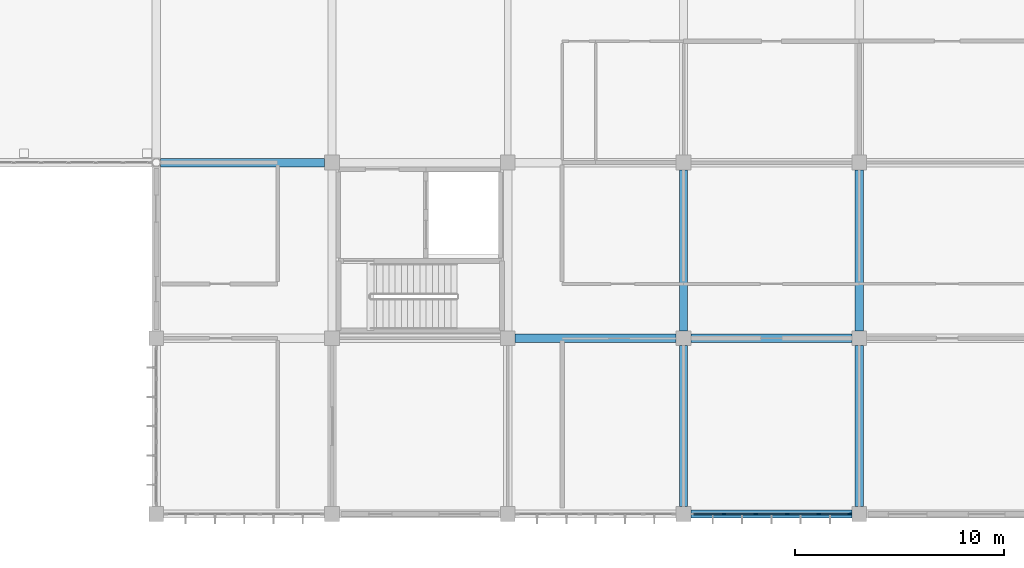
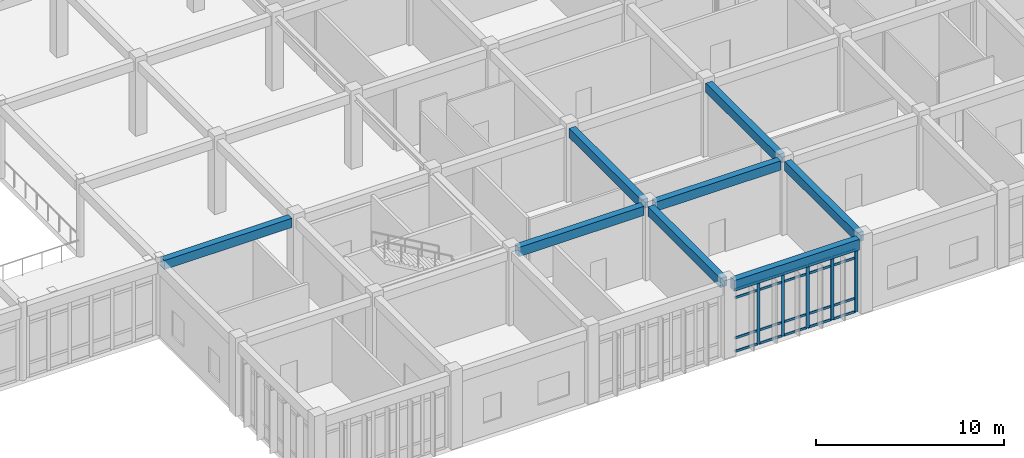
# One storey, part 23 of 134: 25 members, 8 beams, 1 element without a shape of its own.
"""IFC4 building model written with IfcOpenShell, lengths in metres."""

from ifc_helpers import new_model, si_unit, direction, frame, origin, origin_2d, place, context, subcontext, project, spatial, rectangle, extrude, material, layer, layer_set, material_profile, profile_set, type_object, element, aggregate, save


model = new_model("IFC4")

# Units and contexts
model_context = context("Model", 3, precision=1e-05, world=origin(), true_north=direction((0.0, 1.0)))
body_context = subcontext(model_context, "Body", "Model", "MODEL_VIEW")
ifc_project = project(units=[si_unit("LENGTHUNIT", "METRE"), si_unit("AREAUNIT", "SQUARE_METRE"), si_unit("VOLUMEUNIT", "CUBIC_METRE"), si_unit("PLANEANGLEUNIT", "RADIAN"), si_unit("MASSUNIT", "GRAM", prefix="KILO")], contexts=[model_context])

# Site, building, storey
site_placement = place(None, origin())
site = spatial("IfcSite", under=ifc_project, at=site_placement, CompositionType="ELEMENT")
building_placement = place(site_placement, origin())
building = spatial("IfcBuilding", under=site, at=building_placement, Name="Bramfleet General Hospital", CompositionType="ELEMENT")
storey_placement = place(building_placement, frame((0.0, 0.0, 9.300048828125)))
storey = spatial("IfcBuildingStorey", under=building, at=storey_placement, Name="L02", CompositionType="ELEMENT", Elevation=9.300048828125)

# Beams
ifc_material_1 = material(Name="Concrete C35/45", Category="concrete")
ifc_material_profile_1 = material_profile(ifc_material_1, rectangle(XDim=0.39990234375, YDim=0.60009765625, at=origin_2d()), Name="RC BM 600x400")
ifc_profile_set_1 = profile_set([ifc_material_profile_1], Name="Concrete C35/45")
beam_type_1 = type_object("IfcBeamType", Name="BM-RC600", PredefinedType="BEAM", material=ifc_profile_set_1)
beam_1_placement = place(storey_placement, frame((92.603271484375, 16.800048828125, 4.47998046875), z_axis=(1.0, 0.0, 0.0), x_axis=(0.0, 1.0, 0.0)))
element("IfcBeam", 1, at=beam_1_placement, inside=storey, type_object=beam_type_1, Name="L02 Grid Beam X 11-02", PredefinedType="BEAM", context=body_context, shape_type="SweptSolid", body=[
    extrude(rectangle(XDim=0.39990234375, YDim=0.60009765625, at=origin_2d()), origin(), (0.0, 0.0, 1.0), 7.8466796875),
])
for number, where, z_axis, x_axis, name in (
    (2, (109.550048828125, 8.39990234375, 4.47998046875), (1.0, 0.0, 0.0), (0.0, 1.0, 0.0), "L02 Grid Beam X 13-01"),
    (3, (117.949951171875, 8.39990234375, 4.47998046875), (1.0, 0.0, 0.0), (0.0, 1.0, 0.0), "L02 Grid Beam X 14-01"),
    (4, (117.60009765625, 0.35009765625, 4.47998046875), (0.0, 1.0, 0.0), (-1.0, 0.0, 0.0), "L02 Grid Beam Y 14-00"),
    (5, (117.60009765625, 8.75, 4.47998046875), (0.0, 1.0, 0.0), (-1.0, 0.0, 0.0), "L02 Grid Beam Y 14-01"),
    (6, (126.0, 0.35009765625, 4.47998046875), (0.0, 1.0, 0.0), (-1.0, 0.0, 0.0), "L02 Grid Beam Y 15-00"),
    (7, (126.0, 8.75, 4.47998046875), (0.0, 1.0, 0.0), (-1.0, 0.0, 0.0), "L02 Grid Beam Y 15-01"),
):
    element("IfcBeam", number, at=place(storey_placement, frame(where, z_axis=z_axis, x_axis=x_axis)), inside=storey, type_object=beam_type_1, Name=name, PredefinedType="BEAM", context=body_context, shape_type="SweptSolid", body=[
        extrude(rectangle(XDim=0.39990234375, YDim=0.60009765625, at=origin_2d()), origin(), (0.0, 0.0, 1.0), 7.699951171875),
    ])
ifc_material_profile_2 = material_profile(ifc_material_1, rectangle(XDim=0.39990234375, YDim=0.699951171875, at=origin_2d()), Name="RC SP 700x400")
ifc_profile_set_2 = profile_set([ifc_material_profile_2], Name="Concrete C35/45")
beam_type_2 = type_object("IfcBeamType", Name="BM-SP700", PredefinedType="SPANDREL", material=ifc_profile_set_2)
beam_2_placement = place(storey_placement, frame((117.949951171875, 0.0, 4.429931640625), z_axis=(1.0, 0.0, 0.0), x_axis=(0.0, 1.0, 0.0)))
element("IfcBeam", 8, at=beam_2_placement, inside=storey, type_object=beam_type_2, Name="L02 Grid Beam X 14-00", PredefinedType="SPANDREL", context=body_context, shape_type="SweptSolid", body=[
    extrude(rectangle(XDim=0.39990234375, YDim=0.699951171875, at=origin_2d()), origin(), (0.0, 0.0, 1.0), 7.699951171875),
])

# Curtain wall, members
ifc_material_2 = material(Name="Anodised aluminium and low-E triple glazing", Category="aluminium")
ifc_layer = layer(ifc_material_2, 0.179931640625, Name="CWT-CW-17")
ifc_layer_set = layer_set([ifc_layer], Name="Anodised aluminium and low-E triple glazing")
curtain_wall_type = type_object("IfcCurtainWallType", Name="CWT-CW-17", PredefinedType="USERDEFINED", material=ifc_layer_set)
curtain_wall_placement = place(storey_placement, origin())
curtain_wall = element("IfcCurtainWall", 9, at=curtain_wall_placement, inside=storey, type_object=curtain_wall_type, Name="L02 Curtain Wall 125", ObjectType="Stick curtain wall", PredefinedType="USERDEFINED")
ifc_material_3 = material(Name="Structural timber GL28h", Category="wood")
ifc_material_profile_3 = material_profile(ifc_material_3, rectangle(XDim=0.070068359375, YDim=0.18994140625, at=origin_2d()), Name="LARCH 190x70")
ifc_profile_set_3 = profile_set([ifc_material_profile_3], Name="Structural timber GL28h")
member_type_1 = type_object("IfcMemberType", Name="CWM-LARCH450", PredefinedType="MULLION", material=ifc_profile_set_3)
member_1_placement = place(storey_placement, frame((125.5400390625, 0.0, 0.0), z_axis=(0.0, 0.0, 1.0), x_axis=(0.0, -1.0, 0.0)))
member_1 = element("IfcMember", 10, at=member_1_placement, type_object=member_type_1, Name="CW-17 mullion 1", PredefinedType="MULLION", context=body_context, shape_type="SweptSolid", body=[
    extrude(rectangle(XDim=0.070068359375, YDim=0.18994140625, at=origin_2d()), origin(), (0.0, 0.0, 1.0), 4.070068359375),
])
member_2_placement = place(storey_placement, frame((124.06494140625, 0.0, 0.0), z_axis=(0.0, 0.0, 1.0), x_axis=(0.0, -1.0, 0.0)))
member_2 = element("IfcMember", 11, at=member_2_placement, type_object=member_type_1, Name="CW-17 mullion 2", PredefinedType="MULLION", context=body_context, shape_type="SweptSolid", body=[
    extrude(rectangle(XDim=0.070068359375, YDim=0.18994140625, at=origin_2d()), origin(), (0.0, 0.0, 1.0), 4.070068359375),
])
member_3_placement = place(storey_placement, frame((122.554931640625, 0.0, 0.0), z_axis=(0.0, 0.0, 1.0), x_axis=(0.0, -1.0, 0.0)))
member_3 = element("IfcMember", 12, at=member_3_placement, type_object=member_type_1, Name="CW-17 mullion 3", PredefinedType="MULLION", context=body_context, shape_type="SweptSolid", body=[
    extrude(rectangle(XDim=0.070068359375, YDim=0.18994140625, at=origin_2d()), origin(), (0.0, 0.0, 1.0), 4.070068359375),
])
member_4_placement = place(storey_placement, frame((121.044921875, 0.0, 0.0), z_axis=(0.0, 0.0, 1.0), x_axis=(0.0, -1.0, 0.0)))
member_4 = element("IfcMember", 13, at=member_4_placement, type_object=member_type_1, Name="CW-17 mullion 4", PredefinedType="MULLION", context=body_context, shape_type="SweptSolid", body=[
    extrude(rectangle(XDim=0.070068359375, YDim=0.18994140625, at=origin_2d()), origin(), (0.0, 0.0, 1.0), 4.070068359375),
])
member_5_placement = place(storey_placement, frame((119.534912109375, 0.0, 0.0), z_axis=(0.0, 0.0, 1.0), x_axis=(0.0, -1.0, 0.0)))
member_5 = element("IfcMember", 14, at=member_5_placement, type_object=member_type_1, Name="CW-17 mullion 5", PredefinedType="MULLION", context=body_context, shape_type="SweptSolid", body=[
    extrude(rectangle(XDim=0.070068359375, YDim=0.18994140625, at=origin_2d()), origin(), (0.0, 0.0, 1.0), 4.070068359375),
])
ifc_material_profile_4 = material_profile(ifc_material_3, rectangle(XDim=0.06494140625, YDim=0.14990234375, at=origin_2d()), Name="LARCH 150x65")
ifc_profile_set_4 = profile_set([ifc_material_profile_4], Name="Structural timber GL28h")
member_type_2 = type_object("IfcMemberType", Name="CWT-LARCH220", PredefinedType="USERDEFINED", material=ifc_profile_set_4)
member_6_placement = place(storey_placement, frame((125.5048828125, 0.0, 0.032470703125), z_axis=(-1.0, 0.0, 0.0), x_axis=(0.0, -1.0, 0.0)))
member_6 = element("IfcMember", 15, at=member_6_placement, type_object=member_type_2, Name="CW-17 transom 1.1", ObjectType="TRANSOM", PredefinedType="USERDEFINED", context=body_context, shape_type="SweptSolid", body=[
    extrude(rectangle(XDim=0.06494140625, YDim=0.14990234375, at=origin_2d()), origin(), (0.0, 0.0, 1.0), 1.40478515625),
])
member_7_placement = place(storey_placement, frame((125.5048828125, 0.0, 0.89990234375), z_axis=(-1.0, 0.0, 0.0), x_axis=(0.0, -1.0, 0.0)))
member_7 = element("IfcMember", 16, at=member_7_placement, type_object=member_type_2, Name="CW-17 transom 1.2", ObjectType="TRANSOM", PredefinedType="USERDEFINED", context=body_context, shape_type="SweptSolid", body=[
    extrude(rectangle(XDim=0.06494140625, YDim=0.14990234375, at=origin_2d()), origin(), (0.0, 0.0, 1.0), 1.40478515625),
])
member_8_placement = place(storey_placement, frame((125.5048828125, 0.0, 3.52001953125), z_axis=(-1.0, 0.0, 0.0), x_axis=(0.0, -1.0, 0.0)))
member_8 = element("IfcMember", 17, at=member_8_placement, type_object=member_type_2, Name="CW-17 transom 1.3", ObjectType="TRANSOM", PredefinedType="USERDEFINED", context=body_context, shape_type="SweptSolid", body=[
    extrude(rectangle(XDim=0.06494140625, YDim=0.14990234375, at=origin_2d()), origin(), (0.0, 0.0, 1.0), 1.40478515625),
])
member_9_placement = place(storey_placement, frame((125.5048828125, 0.0, 4.037353515625), z_axis=(-1.0, 0.0, 0.0), x_axis=(0.0, -1.0, 0.0)))
member_9 = element("IfcMember", 18, at=member_9_placement, type_object=member_type_2, Name="CW-17 transom 1.4", ObjectType="TRANSOM", PredefinedType="USERDEFINED", context=body_context, shape_type="SweptSolid", body=[
    extrude(rectangle(XDim=0.06494140625, YDim=0.14990234375, at=origin_2d()), origin(), (0.0, 0.0, 1.0), 1.40478515625),
])
member_10_placement = place(storey_placement, frame((124.030029296875, 0.0, 0.032470703125), z_axis=(-1.0, 0.0, 0.0), x_axis=(0.0, -1.0, 0.0)))
member_10 = element("IfcMember", 19, at=member_10_placement, type_object=member_type_2, Name="CW-17 transom 2.1", ObjectType="TRANSOM", PredefinedType="USERDEFINED", context=body_context, shape_type="SweptSolid", body=[
    extrude(rectangle(XDim=0.06494140625, YDim=0.14990234375, at=origin_2d()), origin(), (0.0, 0.0, 1.0), 1.43994140625),
])
member_11_placement = place(storey_placement, frame((124.030029296875, 0.0, 0.89990234375), z_axis=(-1.0, 0.0, 0.0), x_axis=(0.0, -1.0, 0.0)))
member_11 = element("IfcMember", 20, at=member_11_placement, type_object=member_type_2, Name="CW-17 transom 2.2", ObjectType="TRANSOM", PredefinedType="USERDEFINED", context=body_context, shape_type="SweptSolid", body=[
    extrude(rectangle(XDim=0.06494140625, YDim=0.14990234375, at=origin_2d()), origin(), (0.0, 0.0, 1.0), 1.43994140625),
])
member_12_placement = place(storey_placement, frame((124.030029296875, 0.0, 3.52001953125), z_axis=(-1.0, 0.0, 0.0), x_axis=(0.0, -1.0, 0.0)))
member_12 = element("IfcMember", 21, at=member_12_placement, type_object=member_type_2, Name="CW-17 transom 2.3", ObjectType="TRANSOM", PredefinedType="USERDEFINED", context=body_context, shape_type="SweptSolid", body=[
    extrude(rectangle(XDim=0.06494140625, YDim=0.14990234375, at=origin_2d()), origin(), (0.0, 0.0, 1.0), 1.43994140625),
])
member_13_placement = place(storey_placement, frame((124.030029296875, 0.0, 4.037353515625), z_axis=(-1.0, 0.0, 0.0), x_axis=(0.0, -1.0, 0.0)))
member_13 = element("IfcMember", 22, at=member_13_placement, type_object=member_type_2, Name="CW-17 transom 2.4", ObjectType="TRANSOM", PredefinedType="USERDEFINED", context=body_context, shape_type="SweptSolid", body=[
    extrude(rectangle(XDim=0.06494140625, YDim=0.14990234375, at=origin_2d()), origin(), (0.0, 0.0, 1.0), 1.43994140625),
])
member_14_placement = place(storey_placement, frame((122.52001953125, 0.0, 0.032470703125), z_axis=(-1.0, 0.0, 0.0), x_axis=(0.0, -1.0, 0.0)))
member_14 = element("IfcMember", 23, at=member_14_placement, type_object=member_type_2, Name="CW-17 transom 3.1", ObjectType="TRANSOM", PredefinedType="USERDEFINED", context=body_context, shape_type="SweptSolid", body=[
    extrude(rectangle(XDim=0.06494140625, YDim=0.14990234375, at=origin_2d()), origin(), (0.0, 0.0, 1.0), 1.43994140625),
])
member_15_placement = place(storey_placement, frame((122.52001953125, 0.0, 0.89990234375), z_axis=(-1.0, 0.0, 0.0), x_axis=(0.0, -1.0, 0.0)))
member_15 = element("IfcMember", 24, at=member_15_placement, type_object=member_type_2, Name="CW-17 transom 3.2", ObjectType="TRANSOM", PredefinedType="USERDEFINED", context=body_context, shape_type="SweptSolid", body=[
    extrude(rectangle(XDim=0.06494140625, YDim=0.14990234375, at=origin_2d()), origin(), (0.0, 0.0, 1.0), 1.43994140625),
])
member_16_placement = place(storey_placement, frame((122.52001953125, 0.0, 3.52001953125), z_axis=(-1.0, 0.0, 0.0), x_axis=(0.0, -1.0, 0.0)))
member_16 = element("IfcMember", 25, at=member_16_placement, type_object=member_type_2, Name="CW-17 transom 3.3", ObjectType="TRANSOM", PredefinedType="USERDEFINED", context=body_context, shape_type="SweptSolid", body=[
    extrude(rectangle(XDim=0.06494140625, YDim=0.14990234375, at=origin_2d()), origin(), (0.0, 0.0, 1.0), 1.43994140625),
])
member_17_placement = place(storey_placement, frame((122.52001953125, 0.0, 4.037353515625), z_axis=(-1.0, 0.0, 0.0), x_axis=(0.0, -1.0, 0.0)))
member_17 = element("IfcMember", 26, at=member_17_placement, type_object=member_type_2, Name="CW-17 transom 3.4", ObjectType="TRANSOM", PredefinedType="USERDEFINED", context=body_context, shape_type="SweptSolid", body=[
    extrude(rectangle(XDim=0.06494140625, YDim=0.14990234375, at=origin_2d()), origin(), (0.0, 0.0, 1.0), 1.43994140625),
])
member_18_placement = place(storey_placement, frame((121.010009765625, 0.0, 0.032470703125), z_axis=(-1.0, 0.0, 0.0), x_axis=(0.0, -1.0, 0.0)))
member_18 = element("IfcMember", 27, at=member_18_placement, type_object=member_type_2, Name="CW-17 transom 4.1", ObjectType="TRANSOM", PredefinedType="USERDEFINED", context=body_context, shape_type="SweptSolid", body=[
    extrude(rectangle(XDim=0.06494140625, YDim=0.14990234375, at=origin_2d()), origin(), (0.0, 0.0, 1.0), 1.43994140625),
])
member_19_placement = place(storey_placement, frame((121.010009765625, 0.0, 0.89990234375), z_axis=(-1.0, 0.0, 0.0), x_axis=(0.0, -1.0, 0.0)))
member_19 = element("IfcMember", 28, at=member_19_placement, type_object=member_type_2, Name="CW-17 transom 4.2", ObjectType="TRANSOM", PredefinedType="USERDEFINED", context=body_context, shape_type="SweptSolid", body=[
    extrude(rectangle(XDim=0.06494140625, YDim=0.14990234375, at=origin_2d()), origin(), (0.0, 0.0, 1.0), 1.43994140625),
])
member_20_placement = place(storey_placement, frame((121.010009765625, 0.0, 3.52001953125), z_axis=(-1.0, 0.0, 0.0), x_axis=(0.0, -1.0, 0.0)))
member_20 = element("IfcMember", 29, at=member_20_placement, type_object=member_type_2, Name="CW-17 transom 4.3", ObjectType="TRANSOM", PredefinedType="USERDEFINED", context=body_context, shape_type="SweptSolid", body=[
    extrude(rectangle(XDim=0.06494140625, YDim=0.14990234375, at=origin_2d()), origin(), (0.0, 0.0, 1.0), 1.43994140625),
])
member_21_placement = place(storey_placement, frame((121.010009765625, 0.0, 4.037353515625), z_axis=(-1.0, 0.0, 0.0), x_axis=(0.0, -1.0, 0.0)))
member_21 = element("IfcMember", 30, at=member_21_placement, type_object=member_type_2, Name="CW-17 transom 4.4", ObjectType="TRANSOM", PredefinedType="USERDEFINED", context=body_context, shape_type="SweptSolid", body=[
    extrude(rectangle(XDim=0.06494140625, YDim=0.14990234375, at=origin_2d()), origin(), (0.0, 0.0, 1.0), 1.43994140625),
])
member_22_placement = place(storey_placement, frame((119.5, 0.0, 0.032470703125), z_axis=(-1.0, 0.0, 0.0), x_axis=(0.0, -1.0, 0.0)))
member_22 = element("IfcMember", 31, at=member_22_placement, type_object=member_type_2, Name="CW-17 transom 5.1", ObjectType="TRANSOM", PredefinedType="USERDEFINED", context=body_context, shape_type="SweptSolid", body=[
    extrude(rectangle(XDim=0.06494140625, YDim=0.14990234375, at=origin_2d()), origin(), (0.0, 0.0, 1.0), 1.405029296875),
])
member_23_placement = place(storey_placement, frame((119.5, 0.0, 0.89990234375), z_axis=(-1.0, 0.0, 0.0), x_axis=(0.0, -1.0, 0.0)))
member_23 = element("IfcMember", 32, at=member_23_placement, type_object=member_type_2, Name="CW-17 transom 5.2", ObjectType="TRANSOM", PredefinedType="USERDEFINED", context=body_context, shape_type="SweptSolid", body=[
    extrude(rectangle(XDim=0.06494140625, YDim=0.14990234375, at=origin_2d()), origin(), (0.0, 0.0, 1.0), 1.405029296875),
])
member_24_placement = place(storey_placement, frame((119.5, 0.0, 3.52001953125), z_axis=(-1.0, 0.0, 0.0), x_axis=(0.0, -1.0, 0.0)))
member_24 = element("IfcMember", 33, at=member_24_placement, type_object=member_type_2, Name="CW-17 transom 5.3", ObjectType="TRANSOM", PredefinedType="USERDEFINED", context=body_context, shape_type="SweptSolid", body=[
    extrude(rectangle(XDim=0.06494140625, YDim=0.14990234375, at=origin_2d()), origin(), (0.0, 0.0, 1.0), 1.405029296875),
])
member_25_placement = place(storey_placement, frame((119.5, 0.0, 4.037353515625), z_axis=(-1.0, 0.0, 0.0), x_axis=(0.0, -1.0, 0.0)))
member_25 = element("IfcMember", 34, at=member_25_placement, type_object=member_type_2, Name="CW-17 transom 5.4", ObjectType="TRANSOM", PredefinedType="USERDEFINED", context=body_context, shape_type="SweptSolid", body=[
    extrude(rectangle(XDim=0.06494140625, YDim=0.14990234375, at=origin_2d()), origin(), (0.0, 0.0, 1.0), 1.405029296875),
])
aggregate(curtain_wall, [member_1, member_2, member_3, member_4, member_5, member_6, member_7, member_8, member_9, member_10, member_11, member_12, member_13, member_14, member_15, member_16, member_17, member_18, member_19, member_20, member_21, member_22, member_23, member_24, member_25])

save(model, "model.ifc")
